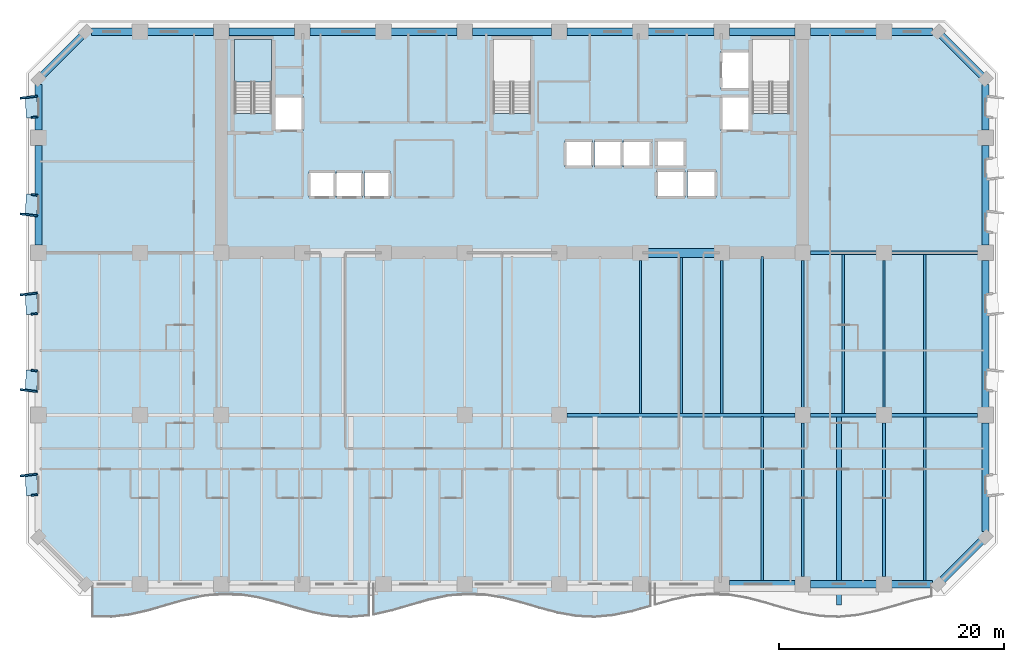
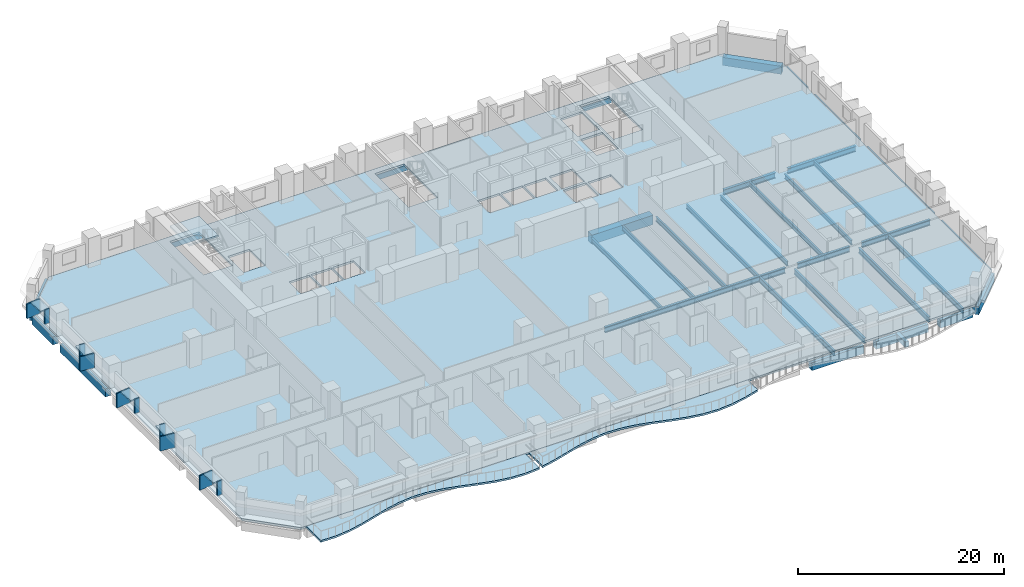
# One storey, part 2 of 15: 42 beams, 15 plates, 4 slabs, 1 element without a shape of its own.
"""IFC4 building model written with IfcOpenShell, lengths in metres."""

import ifcopenshell
import ifcopenshell.guid

model = None  # the IFC model being written
_history = None  # IfcOwnerHistory: only IFC2X3 demands one
_inside = {}  # id of a spatial element -> (the spatial element, [elements in it])
_under = {}  # id of a project, library or spatial element -> (it, [spatial elements below it])
_declared = {}  # id of a project -> (the project, [libraries it declares])
_typed = {}  # id of a type object -> (the type object, [elements of that type])
_made_of = {}  # id of a material, layer set ... -> (it, [elements and type objects made of it])


def new_model(schema):
    """Start an empty IFC model of exactly this schema.

    Asked for "IFC4X3", IfcOpenShell would pick the latest addendum, in which some entities
    have other attributes; the version numbers below select the first issue.
    IFC2X3 requires an IfcOwnerHistory on every rooted entity: one is made here for all.
    """
    global model, _history
    if schema == "IFC4X3":
        model = ifcopenshell.file(schema_version=(4, 3, 0, 0))
    else:
        model = ifcopenshell.file(schema=schema)
    _inside.clear()
    _under.clear()
    _declared.clear()
    _typed.clear()
    _made_of.clear()
    _history = None
    if model.schema == "IFC2X3":
        org = make("IfcOrganization", Name="unknown")
        user = make(
            "IfcPersonAndOrganization",
            ThePerson=make("IfcPerson", FamilyName="unknown"),
            TheOrganization=org,
        )
        app = make(
            "IfcApplication",
            ApplicationDeveloper=org,
            Version="unknown",
            ApplicationFullName="unknown",
            ApplicationIdentifier="unknown",
        )
        _history = make(
            "IfcOwnerHistory",
            OwningUser=user,
            OwningApplication=app,
            ChangeAction="ADDED",
            CreationDate=0,
        )
    return model


def make(cls, **values):
    """One entity of the class cls with the attributes given. An attribute that is None is left unset."""
    return model.create_entity(
        cls, **{name: value for name, value in values.items() if value is not None}
    )


def rooted(cls, **values):
    """An entity with a GlobalId (a new one), such as an element, a storey or a relation."""
    return make(cls, GlobalId=ifcopenshell.guid.new(), OwnerHistory=_history, **values)


def si_unit(unit_type, name, prefix=None):
    """IfcSIUnit, for example si_unit("LENGTHUNIT", "METRE", prefix="MILLI")."""
    return make("IfcSIUnit", UnitType=unit_type, Prefix=prefix, Name=name)


def assignment(units):
    """IfcUnitAssignment: the units of a project."""
    return None if units is None else make("IfcUnitAssignment", Units=units)


def point(xyz):
    """IfcCartesianPoint."""
    return None if xyz is None else make("IfcCartesianPoint", Coordinates=xyz)


def direction(xyz):
    """IfcDirection."""
    return None if xyz is None else make("IfcDirection", DirectionRatios=xyz)


def frame(location, z_axis=None, x_axis=None):
    """IfcAxis2Placement3D, a coordinate frame: its origin and axes. An axis left out is left unset."""
    return make(
        "IfcAxis2Placement3D",
        Location=point(location),
        Axis=direction(z_axis),
        RefDirection=direction(x_axis),
    )


def frame_2d(location, x_axis=None):
    """IfcAxis2Placement2D, a coordinate frame in the plane: its origin and x axis."""
    return make(
        "IfcAxis2Placement2D", Location=point(location), RefDirection=direction(x_axis)
    )


def origin():
    """The frame at (0, 0, 0) with its axes left unset."""
    return frame((0.0, 0.0, 0.0))


def origin_2d():
    """The frame at (0, 0) in the plane with its x axis left unset."""
    return frame_2d((0.0, 0.0))


def place(relative_to, where):
    """IfcLocalPlacement: puts the frame where relative to a parent placement (None: the world)."""
    return make(
        "IfcLocalPlacement", PlacementRelTo=relative_to, RelativePlacement=where
    )


def context(
    kind, dimensions, precision=None, world=None, true_north=None, identifier=None
):
    """IfcGeometricRepresentationContext, for example the 3D "Model" context."""
    return make(
        "IfcGeometricRepresentationContext",
        ContextIdentifier=identifier,
        ContextType=kind,
        CoordinateSpaceDimension=dimensions,
        Precision=precision,
        WorldCoordinateSystem=world,
        TrueNorth=true_north,
    )


def subcontext(parent, identifier, kind, view, scale=None):
    """IfcGeometricRepresentationSubContext, for example "Body" below "Model"."""
    return make(
        "IfcGeometricRepresentationSubContext",
        ContextIdentifier=identifier,
        ContextType=kind,
        ParentContext=parent,
        TargetScale=scale,
        TargetView=view,
    )


def project(units=None, contexts=None):
    """IfcProject with its units and contexts."""
    return rooted(
        "IfcProject",
        Name="project",
        RepresentationContexts=contexts,
        UnitsInContext=assignment(units),
    )


def spatial(cls, under=None, at=None, **own):
    """A site, building, storey or space (cls), placed at a placement, below another one or the project."""
    s = rooted(cls, ObjectPlacement=at, **own)
    if under is not None:
        _under.setdefault(under.id(), (under, []))[1].append(s)
    return s


def polyline(points):
    """IfcPolyline through the points."""
    return make("IfcPolyline", Points=[point(p) for p in points])


def profile(cls, at=None, kind="AREA", **sizes):
    """A parametric profile (cls). Its sizes go by their IFC names, for example OverallWidth=200.0."""
    return make(cls, ProfileType=kind, Position=at, **sizes)


def rectangle(**sizes):
    """IfcRectangleProfileDef."""
    return profile("IfcRectangleProfileDef", **sizes)


def i_section(**sizes):
    """IfcIShapeProfileDef."""
    return profile("IfcIShapeProfileDef", **sizes)


def outline(outer, holes=None, kind="AREA"):
    """IfcArbitraryClosedProfileDef: a profile drawn as a closed curve; with holes, ...WithVoids."""
    if holes is None:
        return make("IfcArbitraryClosedProfileDef", ProfileType=kind, OuterCurve=outer)
    return make(
        "IfcArbitraryProfileDefWithVoids",
        ProfileType=kind,
        OuterCurve=outer,
        InnerCurves=holes,
    )


def extrude(swept, where, along, depth):
    """IfcExtrudedAreaSolid: the profile swept, set in the frame where, extruded along a direction by depth."""
    return make(
        "IfcExtrudedAreaSolid",
        SweptArea=swept,
        Position=where,
        ExtrudedDirection=direction(along),
        Depth=depth,
    )


def shape(context_of_items, identifier, shape_type, items):
    """IfcShapeRepresentation: the items that make up one representation, for example the "Body"."""
    return make(
        "IfcShapeRepresentation",
        ContextOfItems=context_of_items,
        RepresentationIdentifier=identifier,
        RepresentationType=shape_type,
        Items=items,
    )


def material(Name=None, Category=None):
    """IfcMaterial."""
    return make("IfcMaterial", Name=Name, Category=Category)


def layer(
    of_material, thickness, ventilated=None, Name=None, Category=None, Priority=None
):
    """IfcMaterialLayer: one layer of a wall or slab, of a material (None: an air gap)."""
    return make(
        "IfcMaterialLayer",
        Material=of_material,
        LayerThickness=thickness,
        IsVentilated=ventilated,
        Name=Name,
        Category=Category,
        Priority=Priority,
    )


def layer_set(layers, Name=None):
    """IfcMaterialLayerSet."""
    return make("IfcMaterialLayerSet", MaterialLayers=layers, LayerSetName=Name)


def material_profile(
    of_material, cross_section, Name=None, Category=None, Priority=None
):
    """IfcMaterialProfile: a cross section and its material."""
    return make(
        "IfcMaterialProfile",
        Name=Name,
        Material=of_material,
        Profile=cross_section,
        Priority=Priority,
        Category=Category,
    )


def profile_set(profiles, Name=None, composite=None):
    """IfcMaterialProfileSet."""
    return make(
        "IfcMaterialProfileSet",
        Name=Name,
        MaterialProfiles=profiles,
        CompositeProfile=composite,
    )


def made_of(thing, what):
    """Note that an element or type object is made of a material, layer set ...; save() writes the relation."""
    if what is not None:
        _made_of.setdefault(what.id(), (what, []))[1].append(thing)
    return thing


def type_object(cls, material=None, **own):
    """A type object (cls), such as IfcWallType, which elements share."""
    return made_of(rooted(cls, **own), material)


def element(
    cls,
    number,
    at=None,
    inside=None,
    cuts=None,
    type_object=None,
    material=None,
    context=None,
    identifier="Body",
    shape_type=None,
    held_by="IfcProductDefinitionShape",
    body=None,
    shapes=None,
    **own,
):
    """One element of the class cls, such as IfcWall. Its Tag is "e" and its number.

    at: its placement. inside: the storey or other place that contains it. cuts: it is an
    opening in that element (IfcRelVoidsElement). A single representation is given by context,
    identifier, shape_type and body (its items); several are given by shapes. held_by: the class
    of the entity that holds the representations. save() writes the other relations.
    """
    e = rooted(cls, Tag="e%d" % number, ObjectPlacement=at, **own)
    if body is not None:
        shapes = [shape(context, identifier, shape_type, body)]
    if shapes is not None:
        e.Representation = make(held_by, Representations=shapes)
    if inside is not None:
        _inside.setdefault(inside.id(), (inside, []))[1].append(e)
    if cuts is not None:
        rooted(
            "IfcRelVoidsElement", RelatingBuildingElement=cuts, RelatedOpeningElement=e
        )
    if type_object is not None:
        _typed.setdefault(type_object.id(), (type_object, []))[1].append(e)
    return made_of(e, material)


def aggregate(whole, parts):
    """IfcRelAggregates: a whole, such as a stair, and the parts it consists of."""
    return rooted("IfcRelAggregates", RelatingObject=whole, RelatedObjects=parts)


def save(model, path):
    """Write the relations noted so far, then the file.

    IfcRelAggregates (storeys below a building ...), IfcRelContainedInSpatialStructure (elements
    in a storey), IfcRelDefinesByType, IfcRelAssociatesMaterial and IfcRelDeclares: one each for
    every whole, place, type object, material and project.
    """
    for whole, parts in _under.values():
        aggregate(whole, parts)
    for where, things in _inside.values():
        rooted(
            "IfcRelContainedInSpatialStructure",
            RelatedElements=things,
            RelatingStructure=where,
        )
    for kind, things in _typed.values():
        rooted("IfcRelDefinesByType", RelatedObjects=things, RelatingType=kind)
    for what, things in _made_of.values():
        rooted("IfcRelAssociatesMaterial", RelatedObjects=things, RelatingMaterial=what)
    for by, libraries in _declared.values():
        rooted("IfcRelDeclares", RelatingContext=by, RelatedDefinitions=libraries)
    model.write(path)


model = new_model("IFC4")

# Units and contexts
model_context = context("Model", 3, precision=1e-05, world=origin(), true_north=direction((0.0, 1.0)))
body_context = subcontext(model_context, "Body", "Model", "MODEL_VIEW")
ifc_project = project(units=[si_unit("LENGTHUNIT", "METRE"), si_unit("AREAUNIT", "SQUARE_METRE"), si_unit("VOLUMEUNIT", "CUBIC_METRE"), si_unit("PLANEANGLEUNIT", "RADIAN"), si_unit("MASSUNIT", "GRAM", prefix="KILO")], contexts=[model_context])

# Site, building, storey
site_placement = place(None, origin())
site = spatial("IfcSite", under=ifc_project, at=site_placement, CompositionType="ELEMENT")
building_placement = place(site_placement, origin())
building = spatial("IfcBuilding", under=site, at=building_placement, Name="Kaelvorn Grand Hotel", CompositionType="ELEMENT")
storey_placement = place(building_placement, frame((0.0, 0.0, 38.89990234375)))
storey = spatial("IfcBuildingStorey", under=building, at=storey_placement, Name="L07", CompositionType="ELEMENT", Elevation=38.89990234375)

# Beams
ifc_material_1 = material(Name="Steel S355", Category="steel")
ifc_material_profile_1 = material_profile(ifc_material_1, i_section(OverallWidth=0.300048828125, OverallDepth=0.64990234375, WebThickness=0.01611328125, FlangeThickness=0.031005859375, FilletRadius=0.027099609375, at=origin_2d()), Name="HEB 650")
ifc_profile_set_1 = profile_set([ifc_material_profile_1], Name="Steel S355")
beam_type_1 = type_object("IfcBeamType", Name="BM-G-HEB650-S355", PredefinedType="BEAM", material=ifc_profile_set_1)
beam_1_placement = place(storey_placement, frame((46.885009765625, 15.0, -0.56494140625), z_axis=(1.0, 0.0, 0.0), x_axis=(0.0, 1.0, 0.0)))
element("IfcBeam", 1, at=beam_1_placement, inside=storey, type_object=beam_type_1, Name="L07 Primary Spine Steel Girder G-15 05", PredefinedType="BEAM", context=body_context, shape_type="SweptSolid", body=[
    extrude(i_section(OverallWidth=0.300048828125, OverallDepth=0.64990234375, WebThickness=0.01611328125, FlangeThickness=0.031005859375, FilletRadius=0.027099609375, at=origin_2d()), origin(), (0.0, 0.0, 1.0), 20.22998046875),
])
beam_2_placement = place(storey_placement, frame((68.485107421875, 15.0, -0.56494140625), z_axis=(1.0, 0.0, 0.0), x_axis=(0.0, 1.0, 0.0)))
element("IfcBeam", 2, at=beam_2_placement, inside=storey, type_object=beam_type_1, Name="L07 Primary Spine Steel Girder G-15 06", PredefinedType="BEAM", context=body_context, shape_type="SweptSolid", body=[
    extrude(i_section(OverallWidth=0.300048828125, OverallDepth=0.64990234375, WebThickness=0.01611328125, FlangeThickness=0.031005859375, FilletRadius=0.027099609375, at=origin_2d()), origin(), (0.0, 0.0, 1.0), 5.829833984375),
])
beam_3_placement = place(storey_placement, frame((75.68505859375, 15.0, -0.56494140625), z_axis=(1.0, 0.0, 0.0), x_axis=(0.0, 1.0, 0.0)))
element("IfcBeam", 3, at=beam_3_placement, inside=storey, type_object=beam_type_1, Name="L07 Primary Spine Steel Girder G-15 07", PredefinedType="BEAM", context=body_context, shape_type="SweptSolid", body=[
    extrude(i_section(OverallWidth=0.300048828125, OverallDepth=0.64990234375, WebThickness=0.01611328125, FlangeThickness=0.031005859375, FilletRadius=0.027099609375, at=origin_2d()), origin(), (0.0, 0.0, 1.0), 7.6298828125),
])
beam_4_placement = place(storey_placement, frame((68.485107421875, 29.39990234375, -0.56494140625), z_axis=(1.0, 0.0, 0.0), x_axis=(0.0, 1.0, 0.0)))
element("IfcBeam", 4, at=beam_4_placement, inside=storey, type_object=beam_type_1, Name="L07 East Core Wing Steel Girder G-29E 01", PredefinedType="BEAM", context=body_context, shape_type="SweptSolid", body=[
    extrude(i_section(OverallWidth=0.300048828125, OverallDepth=0.64990234375, WebThickness=0.01611328125, FlangeThickness=0.031005859375, FilletRadius=0.027099609375, at=origin_2d()), origin(), (0.0, 0.0, 1.0), 5.829833984375),
])
beam_5_placement = place(storey_placement, frame((75.68505859375, 29.39990234375, -0.56494140625), z_axis=(1.0, 0.0, 0.0), x_axis=(0.0, 1.0, 0.0)))
element("IfcBeam", 5, at=beam_5_placement, inside=storey, type_object=beam_type_1, Name="L07 East Core Wing Steel Girder G-29E 02", PredefinedType="BEAM", context=body_context, shape_type="SweptSolid", body=[
    extrude(i_section(OverallWidth=0.300048828125, OverallDepth=0.64990234375, WebThickness=0.01611328125, FlangeThickness=0.031005859375, FilletRadius=0.027099609375, at=origin_2d()), origin(), (0.0, 0.0, 1.0), 7.6298828125),
])
ifc_material_profile_2 = material_profile(ifc_material_1, i_section(OverallWidth=0.209228515625, OverallDepth=0.533203125, WebThickness=0.010009765625, FlangeThickness=0.015625, FilletRadius=0.0126953125, at=origin_2d()), Name="UB 533x210x92")
ifc_profile_set_2 = profile_set([ifc_material_profile_2], Name="Steel S355")
beam_type_2 = type_object("IfcBeamType", Name="BM-J-UB533-S355", PredefinedType="JOIST", material=ifc_profile_set_2)
beam_6_placement = place(storey_placement, frame((53.39990234375, 15.135009765625, -0.50634765625), z_axis=(0.0, 1.0, 0.0), x_axis=(-1.0, 0.0, 0.0)))
element("IfcBeam", 6, at=beam_6_placement, inside=storey, type_object=beam_type_2, Name="L07 Composite Floor Joist JM-15", PredefinedType="JOIST", context=body_context, shape_type="SweptSolid", body=[
    extrude(i_section(OverallWidth=0.209228515625, OverallDepth=0.533203125, WebThickness=0.010009765625, FlangeThickness=0.015625, FilletRadius=0.0126953125, at=origin_2d()), origin(), (0.0, 0.0, 1.0), 13.580078125),
])
beam_7_placement = place(storey_placement, frame((57.0, 15.135009765625, -0.50634765625), z_axis=(0.0, 1.0, 0.0), x_axis=(-1.0, 0.0, 0.0)))
element("IfcBeam", 7, at=beam_7_placement, inside=storey, type_object=beam_type_2, Name="L07 Composite Floor Joist JM-16", PredefinedType="JOIST", context=body_context, shape_type="SweptSolid", body=[
    extrude(i_section(OverallWidth=0.209228515625, OverallDepth=0.533203125, WebThickness=0.010009765625, FlangeThickness=0.015625, FilletRadius=0.0126953125, at=origin_2d()), origin(), (0.0, 0.0, 1.0), 13.925048828125),
])
beam_8_placement = place(storey_placement, frame((60.60009765625, 15.135009765625, -0.50634765625), z_axis=(0.0, 1.0, 0.0), x_axis=(-1.0, 0.0, 0.0)))
element("IfcBeam", 8, at=beam_8_placement, inside=storey, type_object=beam_type_2, Name="L07 Composite Floor Joist JM-17", PredefinedType="JOIST", context=body_context, shape_type="SweptSolid", body=[
    extrude(i_section(OverallWidth=0.209228515625, OverallDepth=0.533203125, WebThickness=0.010009765625, FlangeThickness=0.015625, FilletRadius=0.0126953125, at=origin_2d()), origin(), (0.0, 0.0, 1.0), 13.580078125),
])
beam_9_placement = place(storey_placement, frame((64.199951171875, 15.135009765625, -0.50634765625), z_axis=(0.0, 1.0, 0.0), x_axis=(-1.0, 0.0, 0.0)))
element("IfcBeam", 9, at=beam_9_placement, inside=storey, type_object=beam_type_2, Name="L07 Composite Floor Joist JM-18", PredefinedType="JOIST", context=body_context, shape_type="SweptSolid", body=[
    extrude(i_section(OverallWidth=0.209228515625, OverallDepth=0.533203125, WebThickness=0.010009765625, FlangeThickness=0.015625, FilletRadius=0.0126953125, at=origin_2d()), origin(), (0.0, 0.0, 1.0), 13.925048828125),
])
beam_10_placement = place(storey_placement, frame((67.800048828125, 15.68505859375, -0.50634765625), z_axis=(0.0, 1.0, 0.0), x_axis=(-1.0, 0.0, 0.0)))
element("IfcBeam", 10, at=beam_10_placement, inside=storey, type_object=beam_type_2, Name="L07 Composite Floor Joist JM-19", PredefinedType="JOIST", context=body_context, shape_type="SweptSolid", body=[
    extrude(i_section(OverallWidth=0.209228515625, OverallDepth=0.533203125, WebThickness=0.010009765625, FlangeThickness=0.015625, FilletRadius=0.0126953125, at=origin_2d()), origin(), (0.0, 0.0, 1.0), 13.030029296875),
])
beam_11_placement = place(storey_placement, frame((71.39990234375, 15.135009765625, -0.50634765625), z_axis=(0.0, 1.0, 0.0), x_axis=(-1.0, 0.0, 0.0)))
element("IfcBeam", 11, at=beam_11_placement, inside=storey, type_object=beam_type_2, Name="L07 Composite Floor Joist JM-20", PredefinedType="JOIST", context=body_context, shape_type="SweptSolid", body=[
    extrude(i_section(OverallWidth=0.209228515625, OverallDepth=0.533203125, WebThickness=0.010009765625, FlangeThickness=0.015625, FilletRadius=0.0126953125, at=origin_2d()), origin(), (0.0, 0.0, 1.0), 14.1298828125),
])
beam_12_placement = place(storey_placement, frame((75.0, 15.68505859375, -0.50634765625), z_axis=(0.0, 1.0, 0.0), x_axis=(-1.0, 0.0, 0.0)))
element("IfcBeam", 12, at=beam_12_placement, inside=storey, type_object=beam_type_2, Name="L07 Composite Floor Joist JM-21", PredefinedType="JOIST", context=body_context, shape_type="SweptSolid", body=[
    extrude(i_section(OverallWidth=0.209228515625, OverallDepth=0.533203125, WebThickness=0.010009765625, FlangeThickness=0.015625, FilletRadius=0.0126953125, at=origin_2d()), origin(), (0.0, 0.0, 1.0), 13.030029296875),
])
beam_13_placement = place(storey_placement, frame((78.60009765625, 15.135009765625, -0.50634765625), z_axis=(0.0, 1.0, 0.0), x_axis=(-1.0, 0.0, 0.0)))
element("IfcBeam", 13, at=beam_13_placement, inside=storey, type_object=beam_type_2, Name="L07 Composite Floor Joist JM-22", PredefinedType="JOIST", context=body_context, shape_type="SweptSolid", body=[
    extrude(i_section(OverallWidth=0.209228515625, OverallDepth=0.533203125, WebThickness=0.010009765625, FlangeThickness=0.015625, FilletRadius=0.0126953125, at=origin_2d()), origin(), (0.0, 0.0, 1.0), 14.1298828125),
])
ifc_material_profile_3 = material_profile(ifc_material_1, i_section(OverallWidth=0.22900390625, OverallDepth=0.6123046875, WebThickness=0.011962890625, FlangeThickness=0.01953125, FilletRadius=0.0126953125, at=origin_2d()), Name="UB 610x229x125")
ifc_profile_set_3 = profile_set([ifc_material_profile_3], Name="Steel S355")
beam_type_3 = type_object("IfcBeamType", Name="BM-J-UB610-S355", PredefinedType="JOIST", material=ifc_profile_set_3)
beam_14_placement = place(storey_placement, frame((64.199951171875, 0.31005859375, -0.5458984375), z_axis=(0.0, 1.0, 0.0), x_axis=(-1.0, 0.0, 0.0)))
element("IfcBeam", 14, at=beam_14_placement, inside=storey, type_object=beam_type_3, Name="L07 Composite Floor Joist JS-18", PredefinedType="JOIST", context=body_context, shape_type="SweptSolid", body=[
    extrude(i_section(OverallWidth=0.22900390625, OverallDepth=0.6123046875, WebThickness=0.011962890625, FlangeThickness=0.01953125, FilletRadius=0.0126953125, at=origin_2d()), origin(), (0.0, 0.0, 1.0), 14.554931640625),
])
for number, where, z_axis, x_axis, name in (
    (15, (67.800048828125, 0.68505859375, -0.5458984375), (0.0, 1.0, 0.0), (-1.0, 0.0, 0.0), "L07 Composite Floor Joist JS-19"),
    (16, (75.0, 0.68505859375, -0.5458984375), (0.0, 1.0, 0.0), (-1.0, 0.0, 0.0), "L07 Composite Floor Joist JS-21"),
):
    element("IfcBeam", number, at=place(storey_placement, frame(where, z_axis=z_axis, x_axis=x_axis)), inside=storey, type_object=beam_type_3, Name=name, PredefinedType="JOIST", context=body_context, shape_type="SweptSolid", body=[
        extrude(i_section(OverallWidth=0.22900390625, OverallDepth=0.6123046875, WebThickness=0.011962890625, FlangeThickness=0.01953125, FilletRadius=0.0126953125, at=origin_2d()), origin(), (0.0, 0.0, 1.0), 13.6298828125),
    ])
beam_15_placement = place(storey_placement, frame((78.60009765625, 0.31005859375, -0.5458984375), z_axis=(0.0, 1.0, 0.0), x_axis=(-1.0, 0.0, 0.0)))
element("IfcBeam", 17, at=beam_15_placement, inside=storey, type_object=beam_type_3, Name="L07 Composite Floor Joist JS-22", PredefinedType="JOIST", context=body_context, shape_type="SweptSolid", body=[
    extrude(i_section(OverallWidth=0.22900390625, OverallDepth=0.6123046875, WebThickness=0.011962890625, FlangeThickness=0.01953125, FilletRadius=0.0126953125, at=origin_2d()), origin(), (0.0, 0.0, 1.0), 14.554931640625),
])
ifc_material_2 = material(Name="Concrete C60/75", Category="concrete")
ifc_material_profile_4 = material_profile(ifc_material_2, rectangle(XDim=0.800048828125, YDim=1.10009765625, at=origin_2d()), Name="RC LINTEL 800x1100")
ifc_profile_set_4 = profile_set([ifc_material_profile_4], Name="Concrete C60/75")
beam_type_4 = type_object("IfcBeamType", Name="BM-LIN-800x1100-C60", PredefinedType="LINTEL", material=ifc_profile_set_4)
beam_16_placement = place(storey_placement, frame((53.580078125, 29.39990234375, -0.789794921875), z_axis=(1.0, 0.0, 0.0), x_axis=(0.0, 1.0, 0.0)))
element("IfcBeam", 18, at=beam_16_placement, inside=storey, type_object=beam_type_4, Name="L07 Rear-Core Coupling Lintel Beam CB1-03", PredefinedType="LINTEL", context=body_context, shape_type="SweptSolid", body=[
    extrude(rectangle(XDim=0.800048828125, YDim=1.10009765625, at=origin_2d()), origin(), (0.0, 0.0, 1.0), 6.83984375),
])
ifc_material_3 = material(Name="Concrete C40/50", Category="concrete")
ifc_material_profile_5 = material_profile(ifc_material_3, rectangle(XDim=0.449951171875, YDim=0.64990234375, at=origin_2d()), Name="RC RIB 450x650")
ifc_profile_set_5 = profile_set([ifc_material_profile_5], Name="Concrete C40/50")
beam_type_5 = type_object("IfcBeamType", Name="BM-RIB-450x650-C40", PredefinedType="SPANDREL", material=ifc_profile_set_5)
beam_17_placement = place(storey_placement, frame((71.022216796875, -1.85009765625, -0.544921875), z_axis=(0.0, 1.0, 0.0), x_axis=(-1.0, 0.0, 0.0)))
element("IfcBeam", 19, at=beam_17_placement, inside=storey, type_object=beam_type_5, Name="L07 Cantilevered Balcony Back-Span Rib RB1-3", PredefinedType="SPANDREL", context=body_context, shape_type="SweptSolid", body=[
    extrude(rectangle(XDim=0.449951171875, YDim=0.64990234375, at=origin_2d()), origin(), (0.0, 0.0, 1.0), 16.715087890625),
])
ifc_material_profile_6 = material_profile(ifc_material_2, rectangle(XDim=0.64990234375, YDim=0.949951171875, at=origin_2d()), Name="RC SPANDREL 650x950")
ifc_profile_set_6 = profile_set([ifc_material_profile_6], Name="Concrete C60/75")
beam_type_6 = type_object("IfcBeamType", Name="BM-SP-650x950-C60", PredefinedType="SPANDREL", material=ifc_profile_set_6)
beam_18_placement = place(storey_placement, frame((61.284912109375, 0.0, -0.71484375), z_axis=(1.0, 0.0, 0.0), x_axis=(0.0, 1.0, 0.0)))
element("IfcBeam", 20, at=beam_18_placement, inside=storey, type_object=beam_type_6, Name="L07 South Perimeter Spandrel 09", PredefinedType="SPANDREL", context=body_context, shape_type="SweptSolid", body=[
    extrude(rectangle(XDim=0.64990234375, YDim=0.949951171875, at=origin_2d()), origin(), (0.0, 0.0, 1.0), 5.830078125),
])
beam_19_placement = place(storey_placement, frame((68.485107421875, 0.0, -0.71484375), z_axis=(1.0, 0.0, 0.0), x_axis=(0.0, 1.0, 0.0)))
element("IfcBeam", 21, at=beam_19_placement, inside=storey, type_object=beam_type_6, Name="L07 South Perimeter Spandrel 10", PredefinedType="SPANDREL", context=body_context, shape_type="SweptSolid", body=[
    extrude(rectangle(XDim=0.64990234375, YDim=0.949951171875, at=origin_2d()), origin(), (0.0, 0.0, 1.0), 5.829833984375),
])
for number, where, z_axis, x_axis, name in (
    (22, (75.68505859375, 0.0, -0.71484375), (1.0, 0.0, 0.0), (0.0, 1.0, 0.0), "L07 South Perimeter Spandrel 11"),
    (23, (4.68505859375, 49.0, -0.71484375), (1.0, 0.0, 0.0), (0.0, 1.0, 0.0), "L07 North Perimeter Spandrel 01"),
):
    element("IfcBeam", number, at=place(storey_placement, frame(where, z_axis=z_axis, x_axis=x_axis)), inside=storey, type_object=beam_type_6, Name=name, PredefinedType="SPANDREL", context=body_context, shape_type="SweptSolid", body=[
        extrude(rectangle(XDim=0.64990234375, YDim=0.949951171875, at=origin_2d()), origin(), (0.0, 0.0, 1.0), 3.6298828125),
    ])
beam_20_placement = place(storey_placement, frame((9.68505859375, 49.0, -0.71484375), z_axis=(1.0, 0.0, 0.0), x_axis=(0.0, 1.0, 0.0)))
element("IfcBeam", 24, at=beam_20_placement, inside=storey, type_object=beam_type_6, Name="L07 North Perimeter Spandrel 02", PredefinedType="SPANDREL", context=body_context, shape_type="SweptSolid", body=[
    extrude(rectangle(XDim=0.64990234375, YDim=0.949951171875, at=origin_2d()), origin(), (0.0, 0.0, 1.0), 5.829833984375),
])
for number, where, z_axis, x_axis, name in (
    (25, (16.885009765625, 49.0, -0.71484375), (1.0, 0.0, 0.0), (0.0, 1.0, 0.0), "L07 North Perimeter Spandrel 03"),
    (26, (24.0849609375, 49.0, -0.71484375), (1.0, 0.0, 0.0), (0.0, 1.0, 0.0), "L07 North Perimeter Spandrel 04"),
    (27, (31.284912109375, 49.0, -0.71484375), (1.0, 0.0, 0.0), (0.0, 1.0, 0.0), "L07 North Perimeter Spandrel 05"),
):
    element("IfcBeam", number, at=place(storey_placement, frame(where, z_axis=z_axis, x_axis=x_axis)), inside=storey, type_object=beam_type_6, Name=name, PredefinedType="SPANDREL", context=body_context, shape_type="SweptSolid", body=[
        extrude(rectangle(XDim=0.64990234375, YDim=0.949951171875, at=origin_2d()), origin(), (0.0, 0.0, 1.0), 5.830078125),
    ])
beam_21_placement = place(storey_placement, frame((38.485107421875, 49.0, -0.71484375), z_axis=(1.0, 0.0, 0.0), x_axis=(0.0, 1.0, 0.0)))
element("IfcBeam", 28, at=beam_21_placement, inside=storey, type_object=beam_type_6, Name="L07 North Perimeter Spandrel 06", PredefinedType="SPANDREL", context=body_context, shape_type="SweptSolid", body=[
    extrude(rectangle(XDim=0.64990234375, YDim=0.949951171875, at=origin_2d()), origin(), (0.0, 0.0, 1.0), 7.02978515625),
])
for number, where, z_axis, x_axis, name in (
    (29, (46.885009765625, 49.0, -0.71484375), (1.0, 0.0, 0.0), (0.0, 1.0, 0.0), "L07 North Perimeter Spandrel 07"),
    (30, (54.0849609375, 49.0, -0.71484375), (1.0, 0.0, 0.0), (0.0, 1.0, 0.0), "L07 North Perimeter Spandrel 08"),
    (31, (61.284912109375, 49.0, -0.71484375), (1.0, 0.0, 0.0), (0.0, 1.0, 0.0), "L07 North Perimeter Spandrel 09"),
):
    element("IfcBeam", number, at=place(storey_placement, frame(where, z_axis=z_axis, x_axis=x_axis)), inside=storey, type_object=beam_type_6, Name=name, PredefinedType="SPANDREL", context=body_context, shape_type="SweptSolid", body=[
        extrude(rectangle(XDim=0.64990234375, YDim=0.949951171875, at=origin_2d()), origin(), (0.0, 0.0, 1.0), 5.830078125),
    ])
beam_22_placement = place(storey_placement, frame((68.485107421875, 49.0, -0.71484375), z_axis=(1.0, 0.0, 0.0), x_axis=(0.0, 1.0, 0.0)))
element("IfcBeam", 32, at=beam_22_placement, inside=storey, type_object=beam_type_6, Name="L07 North Perimeter Spandrel 10", PredefinedType="SPANDREL", context=body_context, shape_type="SweptSolid", body=[
    extrude(rectangle(XDim=0.64990234375, YDim=0.949951171875, at=origin_2d()), origin(), (0.0, 0.0, 1.0), 5.829833984375),
])
beam_23_placement = place(storey_placement, frame((75.68505859375, 49.0, -0.71484375), z_axis=(1.0, 0.0, 0.0), x_axis=(0.0, 1.0, 0.0)))
element("IfcBeam", 33, at=beam_23_placement, inside=storey, type_object=beam_type_6, Name="L07 North Perimeter Spandrel 11", PredefinedType="SPANDREL", context=body_context, shape_type="SweptSolid", body=[
    extrude(rectangle(XDim=0.64990234375, YDim=0.949951171875, at=origin_2d()), origin(), (0.0, 0.0, 1.0), 3.6298828125),
])
beam_24_placement = place(storey_placement, frame((0.0, 30.0849609375, -0.71484375), z_axis=(0.0, 1.0, 0.0), x_axis=(-1.0, 0.0, 0.0)))
element("IfcBeam", 34, at=beam_24_placement, inside=storey, type_object=beam_type_6, Name="L07 West Perimeter Spandrel 03", PredefinedType="SPANDREL", context=body_context, shape_type="SweptSolid", body=[
    extrude(rectangle(XDim=0.64990234375, YDim=0.949951171875, at=origin_2d()), origin(), (0.0, 0.0, 1.0), 8.830078125),
])
beam_25_placement = place(storey_placement, frame((0.0, 40.284912109375, -0.71484375), z_axis=(0.0, 1.0, 0.0), x_axis=(-1.0, 0.0, 0.0)))
element("IfcBeam", 35, at=beam_25_placement, inside=storey, type_object=beam_type_6, Name="L07 West Perimeter Spandrel 04", PredefinedType="SPANDREL", context=body_context, shape_type="SweptSolid", body=[
    extrude(rectangle(XDim=0.64990234375, YDim=0.949951171875, at=origin_2d()), origin(), (0.0, 0.0, 1.0), 4.030029296875),
])
beam_26_placement = place(storey_placement, frame((84.0, 4.68505859375, -0.71484375), z_axis=(0.0, 1.0, 0.0), x_axis=(-1.0, 0.0, 0.0)))
element("IfcBeam", 36, at=beam_26_placement, inside=storey, type_object=beam_type_6, Name="L07 East Perimeter Spandrel 01", PredefinedType="SPANDREL", context=body_context, shape_type="SweptSolid", body=[
    extrude(rectangle(XDim=0.64990234375, YDim=0.949951171875, at=origin_2d()), origin(), (0.0, 0.0, 1.0), 9.6298828125),
])
beam_27_placement = place(storey_placement, frame((84.0, 15.68505859375, -0.71484375), z_axis=(0.0, 1.0, 0.0), x_axis=(-1.0, 0.0, 0.0)))
element("IfcBeam", 37, at=beam_27_placement, inside=storey, type_object=beam_type_6, Name="L07 East Perimeter Spandrel 02", PredefinedType="SPANDREL", context=body_context, shape_type="SweptSolid", body=[
    extrude(rectangle(XDim=0.64990234375, YDim=0.949951171875, at=origin_2d()), origin(), (0.0, 0.0, 1.0), 13.030029296875),
])
beam_28_placement = place(storey_placement, frame((84.0, 30.0849609375, -0.71484375), z_axis=(0.0, 1.0, 0.0), x_axis=(-1.0, 0.0, 0.0)))
element("IfcBeam", 38, at=beam_28_placement, inside=storey, type_object=beam_type_6, Name="L07 East Perimeter Spandrel 03", PredefinedType="SPANDREL", context=body_context, shape_type="SweptSolid", body=[
    extrude(rectangle(XDim=0.64990234375, YDim=0.949951171875, at=origin_2d()), origin(), (0.0, 0.0, 1.0), 8.830078125),
])
beam_29_placement = place(storey_placement, frame((84.0, 40.284912109375, -0.71484375), z_axis=(0.0, 1.0, 0.0), x_axis=(-1.0, 0.0, 0.0)))
element("IfcBeam", 39, at=beam_29_placement, inside=storey, type_object=beam_type_6, Name="L07 East Perimeter Spandrel 04", PredefinedType="SPANDREL", context=body_context, shape_type="SweptSolid", body=[
    extrude(rectangle(XDim=0.64990234375, YDim=0.949951171875, at=origin_2d()), origin(), (0.0, 0.0, 1.0), 4.030029296875),
])
for number, where, z_axis, x_axis, name in (
    (40, (79.800048828125, 0.0, -0.71484375), (0.707106781187, 0.707106781187, 0.0), (-0.707106781187, 0.707106781187, 0.0), "L07 Chamfer Spandrel Beam 1"),
    (41, (84.0, 44.800048828125, -0.71484375), (-0.707106781187, 0.707106781187, 0.0), (-0.707106781187, -0.707106781187, 0.0), "L07 Chamfer Spandrel Beam 2"),
    (42, (4.199951171875, 49.0, -0.71484375), (-0.707106781187, -0.707106781187, 0.0), (0.707106781187, -0.707106781187, 0.0), "L07 Chamfer Spandrel Beam 3"),
):
    element("IfcBeam", number, at=place(storey_placement, frame(where, z_axis=z_axis, x_axis=x_axis)), inside=storey, type_object=beam_type_6, Name=name, PredefinedType="SPANDREL", context=body_context, shape_type="SweptSolid", body=[
        extrude(rectangle(XDim=0.64990234375, YDim=0.949951171875, at=origin_2d()), origin(), (0.0, 0.0, 1.0), 5.939697265625),
    ])

# Plates
ifc_material_4 = material(Name="Precast concrete C45/55", Category="concrete")
ifc_layer_1 = layer(ifc_material_4, 0.159912109375)
ifc_layer_set_1 = layer_set([ifc_layer_1], Name="Precast concrete C45/55")
plate_type_1 = type_object("IfcPlateType", Name="PL-FRAME-DEEP-1550", PredefinedType="USERDEFINED", material=ifc_layer_set_1)
for number, where, z_axis, x_axis, name in (
    (43, (-0.864990234375, 9.68994140625, 0.68994140625), (0.0, 0.0, 1.0), (-0.121869343405, 0.992546151641, 0.0), "L07 Tilted Precast Window Frame Fin R-W01"),
    (44, (-0.864990234375, 17.175048828125, 0.68994140625), (0.0, 0.0, 1.0), (0.121869343405, 0.992546151641, 0.0), "L07 Tilted Precast Window Frame Fin L-W02"),
    (45, (-0.864990234375, 25.7548828125, 0.68994140625), (0.0, 0.0, 1.0), (-0.121869343405, 0.992546151641, 0.0), "L07 Tilted Precast Window Frame Fin R-W03"),
    (46, (-0.864990234375, 32.760009765625, 0.68994140625), (0.0, 0.0, 1.0), (0.121869343405, 0.992546151641, 0.0), "L07 Tilted Precast Window Frame Fin L-W04"),
    (47, (-0.864990234375, 43.205078125, 0.68994140625), (0.0, 0.0, 1.0), (-0.121869343405, 0.992546151641, 0.0), "L07 Tilted Precast Window Frame Fin R-W05"),
):
    element("IfcPlate", number, at=place(storey_placement, frame(where, z_axis=z_axis, x_axis=x_axis)), inside=storey, type_object=plate_type_1, Name=name, ObjectType="FLANGE_PLATE", PredefinedType="USERDEFINED", context=body_context, shape_type="SweptSolid", body=[
        extrude(rectangle(XDim=0.159912109375, YDim=1.550048828125, at=origin_2d()), origin(), (0.0, 0.0, 1.0), 1.719970703125),
    ])
ifc_layer_2 = layer(ifc_material_4, 0.159912109375)
ifc_layer_set_2 = layer_set([ifc_layer_2], Name="Precast concrete C45/55")
plate_type_2 = type_object("IfcPlateType", Name="PL-FRAME-HEAD-1050", PredefinedType="USERDEFINED", material=ifc_layer_set_2)
for number, where, z_axis, x_axis, name in (
    (48, (-0.614990234375, 8.800048828125, 2.25), (0.0, 0.0, 1.0), (-0.054950179912, 0.998489097451, 0.0), "L07 Precast Window Frame Head Hood H-W01"),
    (49, (-0.614990234375, 18.06494140625, 2.25), (0.0, 0.0, 1.0), (0.054950179912, 0.998489097451, 0.0), "L07 Precast Window Frame Head Hood H-W02"),
    (50, (-0.614990234375, 24.864990234375, 2.25), (0.0, 0.0, 1.0), (-0.054950179912, 0.998489097451, 0.0), "L07 Precast Window Frame Head Hood H-W03"),
    (51, (-0.614990234375, 33.64990234375, 2.25), (0.0, 0.0, 1.0), (0.054950179912, 0.998489097451, 0.0), "L07 Precast Window Frame Head Hood H-W04"),
    (52, (-0.614990234375, 42.31494140625, 2.25), (0.0, 0.0, 1.0), (-0.054950179912, 0.998489097451, 0.0), "L07 Precast Window Frame Head Hood H-W05"),
):
    element("IfcPlate", number, at=place(storey_placement, frame(where, z_axis=z_axis, x_axis=x_axis)), inside=storey, type_object=plate_type_2, Name=name, ObjectType="FLANGE_PLATE", PredefinedType="USERDEFINED", context=body_context, shape_type="SweptSolid", body=[
        extrude(rectangle(XDim=1.860107421875, YDim=1.050048828125, at=origin_2d()), origin(), (0.0, 0.0, 1.0), 0.159912109375),
    ])
ifc_layer_3 = layer(ifc_material_4, 0.159912109375)
ifc_layer_set_3 = layer_set([ifc_layer_3], Name="Precast concrete C45/55")
plate_type_3 = type_object("IfcPlateType", Name="PL-FRAME-SHAL-550", PredefinedType="USERDEFINED", material=ifc_layer_set_3)
for number, where, z_axis, x_axis, name in (
    (53, (-0.364990234375, 7.909912109375, 0.68994140625), (0.0, 0.0, 1.0), (-0.121869343405, 0.992546151641, 0.0), "L07 Tilted Precast Window Frame Fin L-W01"),
    (54, (-0.364990234375, 18.955078125, 0.68994140625), (0.0, 0.0, 1.0), (0.121869343405, 0.992546151641, 0.0), "L07 Tilted Precast Window Frame Fin R-W02"),
    (55, (-0.364990234375, 23.97509765625, 0.68994140625), (0.0, 0.0, 1.0), (-0.121869343405, 0.992546151641, 0.0), "L07 Tilted Precast Window Frame Fin L-W03"),
    (56, (-0.364990234375, 34.5400390625, 0.68994140625), (0.0, 0.0, 1.0), (0.121869343405, 0.992546151641, 0.0), "L07 Tilted Precast Window Frame Fin R-W04"),
    (57, (-0.364990234375, 41.425048828125, 0.68994140625), (0.0, 0.0, 1.0), (-0.121869343405, 0.992546151641, 0.0), "L07 Tilted Precast Window Frame Fin L-W05"),
):
    element("IfcPlate", number, at=place(storey_placement, frame(where, z_axis=z_axis, x_axis=x_axis)), inside=storey, type_object=plate_type_3, Name=name, ObjectType="FLANGE_PLATE", PredefinedType="USERDEFINED", context=body_context, shape_type="SweptSolid", body=[
        extrude(rectangle(XDim=0.159912109375, YDim=0.550048828125, at=origin_2d()), origin(), (0.0, 0.0, 1.0), 1.719970703125),
    ])

# Slabs
ifc_layer_4 = layer(ifc_material_3, 0.219970703125)
ifc_layer_set_4 = layer_set([ifc_layer_4], Name="Concrete C40/50")
slab_type_1 = type_object("IfcSlabType", Name="SLB-BALC-220-C40", PredefinedType="FLOOR", material=ifc_layer_set_4)
slab_1_placement = place(storey_placement, frame((0.0, 0.0, -0.219970703125)))
element("IfcSlab", 58, at=slab_1_placement, inside=storey, type_object=slab_type_1, Name="L07 Scalloped Wave Balcony Slab 1", PredefinedType="FLOOR", context=body_context, shape_type="SweptSolid", body=[
    extrude(outline(polyline([(4.800048828125, -2.849853515625), (6.435546875, -2.88671875), (8.071044921875, -2.69873046875), (9.706787109375, -2.327880859375), (11.34228515625, -1.8564453125), (12.977783203125, -1.38916015625), (14.61328125, -1.02978515625), (16.248779296875, -0.858154296875), (17.884521484375, -0.912353515625), (19.52001953125, -1.180419921875), (21.155517578125, -1.602783203125), (22.791015625, -2.08544921875), (24.4267578125, -2.521484375), (26.062255859375, -2.81396484375), (27.69775390625, -2.89794921875), (29.333251953125, -2.754638671875), (29.333251953125, 0.0), (4.800048828125, 0.0), (4.800048828125, -2.849853515625)])), origin(), (0.0, 0.0, 1.0), 0.219970703125),
])
slab_2_placement = place(storey_placement, frame((0.0, 0.0, -0.219970703125)))
element("IfcSlab", 59, at=slab_2_placement, inside=storey, type_object=slab_type_1, Name="L07 Scalloped Wave Balcony Slab 2", PredefinedType="FLOOR", context=body_context, shape_type="SweptSolid", body=[
    extrude(outline(polyline([(29.7333984375, -2.6875), (31.368896484375, -2.311279296875), (33.00439453125, -1.837890625), (34.639892578125, -1.372802734375), (36.275634765625, -1.019287109375), (37.9111328125, -0.85595703125), (39.546630859375, -0.918701171875), (41.18212890625, -1.194091796875), (42.81787109375, -1.62060546875), (44.453369140625, -2.103759765625), (46.0888671875, -2.535888671875), (47.724365234375, -2.8212890625), (49.360107421875, -2.896484375), (50.99560546875, -2.744873046875), (52.631103515625, -2.400146484375), (54.2666015625, -1.9384765625), (54.2666015625, 0.0), (29.7333984375, 0.0), (29.7333984375, -2.6875)])), origin(), (0.0, 0.0, 1.0), 0.219970703125),
])
ifc_layer_5 = layer(ifc_material_3, 0.239990234375)
ifc_layer_set_5 = layer_set([ifc_layer_5], Name="Concrete C40/50")
slab_type_2 = type_object("IfcSlabType", Name="SLB-FLR-240-C40", PredefinedType="FLOOR", material=ifc_layer_set_5)
slab_3_placement = place(storey_placement, frame((0.0, 0.0, -0.239990234375)))
element("IfcSlab", 60, at=slab_3_placement, inside=storey, type_object=slab_type_2, Name="L07 Indoor Suspended Floor Slab", PredefinedType="FLOOR", context=body_context, shape_type="SweptSolid", body=[
    extrude(outline(polyline([(4.199951171875, 0.0), (79.800048828125, 0.0), (84.0, 4.199951171875), (84.0, 44.800048828125), (79.800048828125, 49.0), (4.199951171875, 49.0), (0.0, 44.800048828125), (0.0, 4.199951171875), (4.199951171875, 0.0)]), holes=[polyline([(17.39990234375, 41.760009765625), (17.39990234375, 48.300048828125), (20.679931640625, 48.300048828125), (20.679931640625, 41.760009765625), (17.39990234375, 41.760009765625)]), polyline([(40.360107421875, 41.760009765625), (40.360107421875, 48.300048828125), (43.639892578125, 48.300048828125), (43.639892578125, 41.760009765625), (40.360107421875, 41.760009765625)]), polyline([(63.320068359375, 41.760009765625), (63.320068359375, 48.300048828125), (66.60009765625, 48.300048828125), (66.60009765625, 41.760009765625), (63.320068359375, 41.760009765625)]), polyline([(24.0, 34.300048828125), (24.0, 36.60009765625), (26.300048828125, 36.60009765625), (26.300048828125, 34.300048828125), (24.0, 34.300048828125)]), polyline([(26.449951171875, 34.300048828125), (26.449951171875, 36.60009765625), (28.75, 36.60009765625), (28.75, 34.300048828125), (26.449951171875, 34.300048828125)]), polyline([(28.89990234375, 34.300048828125), (28.89990234375, 36.60009765625), (31.199951171875, 36.60009765625), (31.199951171875, 34.300048828125), (28.89990234375, 34.300048828125)]), polyline([(46.699951171875, 37.0), (46.699951171875, 39.35009765625), (49.14990234375, 39.35009765625), (49.14990234375, 37.0), (46.699951171875, 37.0)]), polyline([(49.300048828125, 37.0), (49.300048828125, 39.35009765625), (51.75, 39.35009765625), (51.75, 37.0), (49.300048828125, 37.0)]), polyline([(51.89990234375, 37.0), (51.89990234375, 39.35009765625), (54.35009765625, 39.35009765625), (54.35009765625, 37.0), (51.89990234375, 37.0)]), polyline([(54.800048828125, 34.300048828125), (54.800048828125, 36.699951171875), (57.35009765625, 36.699951171875), (57.35009765625, 34.300048828125), (54.800048828125, 34.300048828125)]), polyline([(57.550048828125, 34.300048828125), (57.550048828125, 36.699951171875), (60.10009765625, 36.699951171875), (60.10009765625, 34.300048828125), (57.550048828125, 34.300048828125)]), polyline([(54.800048828125, 37.0), (54.800048828125, 39.39990234375), (57.35009765625, 39.39990234375), (57.35009765625, 37.0), (54.800048828125, 37.0)]), polyline([(21.0, 40.199951171875), (21.0, 43.300048828125), (23.449951171875, 43.300048828125), (23.449951171875, 40.199951171875), (21.0, 40.199951171875)]), polyline([(60.550048828125, 40.199951171875), (60.550048828125, 43.300048828125), (63.0, 43.300048828125), (63.0, 40.199951171875), (60.550048828125, 40.199951171875)]), polyline([(60.550048828125, 43.89990234375), (60.550048828125, 47.300048828125), (63.0, 47.300048828125), (63.0, 43.89990234375), (60.550048828125, 43.89990234375)])]), origin(), (0.0, 0.0, 1.0), 0.239990234375),
])

# Stair, slab
stair_type = type_object("IfcStairType", Name="STR-DOG-1560-R06", PredefinedType="HALF_TURN_STAIR", material=ifc_material_3)
stair_placement = place(storey_placement, origin())
stair = element("IfcStair", 61, at=stair_placement, inside=storey, type_object=stair_type, Name="L07 West Core Exit Stair ST1", PredefinedType="HALF_TURN_STAIR")
ifc_layer_6 = layer(ifc_material_3, 0.199951171875)
ifc_layer_set_6 = layer_set([ifc_layer_6], Name="Concrete C40/50")
slab_type_3 = type_object("IfcSlabType", Name="SLB-LAND-200-C40", PredefinedType="LANDING", material=ifc_layer_set_6)
slab_4_placement = place(storey_placement, frame((0.0, 0.0, 1.675048828125)))
slab_4 = element("IfcSlab", 62, at=slab_4_placement, type_object=slab_type_3, Name="ST1 landing 1", PredefinedType="LANDING", context=body_context, shape_type="SweptSolid", body=[
    extrude(outline(polyline([(20.679931640625, 44.56005859375), (20.679931640625, 48.300048828125), (17.39990234375, 48.300048828125), (17.39990234375, 44.56005859375), (20.679931640625, 44.56005859375)])), origin(), (0.0, 0.0, 1.0), 0.199951171875),
])
aggregate(stair, [slab_4])

save(model, "model.ifc")
